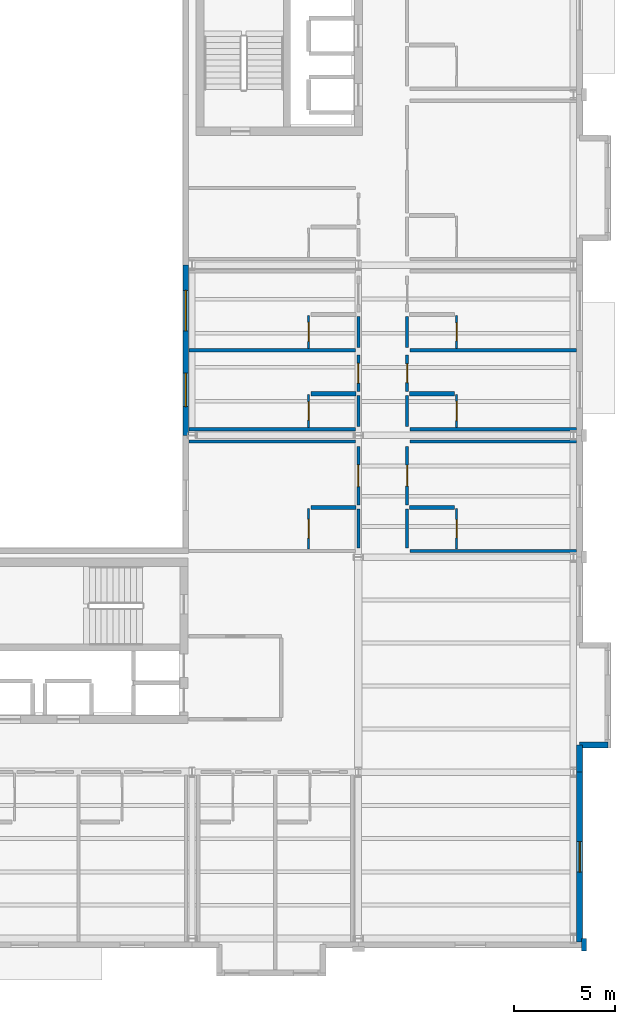
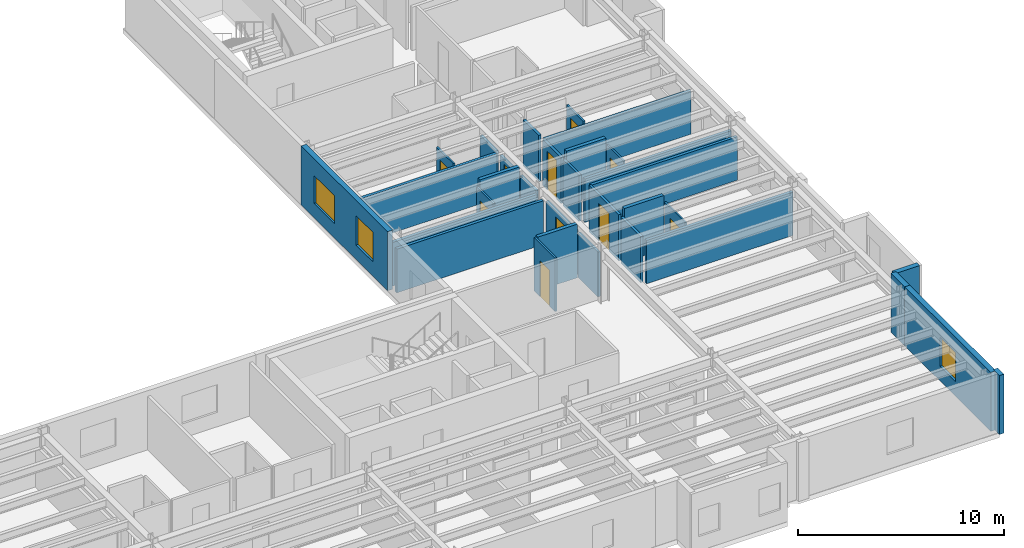
# One storey, part 10 of 17: 32 walls, 10 doors, 3 windows, 13 openings.
"""IFC4 building model written with IfcOpenShell, lengths in metres."""

from ifc_helpers import new_model, si_unit, direction, frame, frame_2d, origin, place, context, subcontext, project, spatial, rectangle, extrude, material, layer, layer_set, type_object, element, fill, save


model = new_model("IFC4")

# Units and contexts
model_context = context("Model", 3, precision=1e-05, world=origin(), true_north=direction((0.0, 1.0)))
body_context = subcontext(model_context, "Body", "Model", "MODEL_VIEW")
ifc_project = project(units=[si_unit("LENGTHUNIT", "METRE"), si_unit("AREAUNIT", "SQUARE_METRE"), si_unit("VOLUMEUNIT", "CUBIC_METRE"), si_unit("PLANEANGLEUNIT", "RADIAN"), si_unit("MASSUNIT", "GRAM", prefix="KILO")], contexts=[model_context])

# Site, building, storey
site_placement = place(None, origin())
site = spatial("IfcSite", under=ifc_project, at=site_placement, CompositionType="ELEMENT")
building_placement = place(site_placement, origin())
building = spatial("IfcBuilding", under=site, at=building_placement, Name="Sollismere Congress Hotel", CompositionType="ELEMENT")
storey_placement = place(building_placement, frame((0.0, 0.0, 41.10009765625)))
storey = spatial("IfcBuildingStorey", under=building, at=storey_placement, Name="L10", CompositionType="ELEMENT", Elevation=41.10009765625)

# Wall, opening, window
ifc_material_1 = material(Name="Colorado Buff Sandstone Rainscreen on Insulated Backup", Category="masonry")
ifc_layer_1 = layer(ifc_material_1, 0.284912109375, Name="Colorado Buff Sandstone Rainscreen on Insulated Backup")
ifc_layer_set_1 = layer_set([ifc_layer_1], Name="Colorado Buff Sandstone Rainscreen on Insulated Backup")
wall_type_1 = type_object("IfcWallType", Name="WL-EXT285", PredefinedType="STANDARD", material=ifc_layer_set_1)
wall_1_placement = place(storey_placement, frame((166.31005859375, -0.16552734375, 0.0), z_axis=(0.0, 0.0, 1.0), x_axis=(0.0, 1.0, 0.0)))
wall_1 = element("IfcWall", 1, at=wall_1_placement, inside=storey, type_object=wall_type_1, Name="Exterior wall EW-L10-966", PredefinedType="STANDARD", context=body_context, shape_type="SweptSolid", body=[
    extrude(rectangle(XDim=8.365478515625, YDim=0.284912109375, at=frame_2d((4.1826171875, 0.0))), origin(), (0.0, 0.0, 1.0), 3.5),
])
opening_1_placement = place(wall_1_placement, frame((3.4326171875, 0.0, 0.8798828125)))
opening_1 = element("IfcOpeningElement", 2, at=opening_1_placement, cuts=wall_1, Name="Opening W-L10-690", PredefinedType="OPENING", context=body_context, shape_type="SweptSolid", body=[
    extrude(rectangle(XDim=1.5, YDim=1.699951171875, at=frame_2d((0.75, 0.85009765625))), frame((0.0, 0.15234375, 0.0), z_axis=(0.0, -1.0, 0.0), x_axis=(1.0, 0.0, 0.0)), (0.0, 0.0, 1.0), 0.304931640625),
])
ifc_material_2 = material(Name="Thermally Broken Bronze Aluminum & Low-E Glass", Category="aluminium")
window_type_1 = type_object("IfcWindowType", Name="WN-P150x170", PartitioningType="SINGLE_PANEL", PredefinedType="WINDOW", material=ifc_material_2)
window_1_placement = place(opening_1_placement, origin())
window_1 = element("IfcWindow", 3, at=window_1_placement, inside=storey, type_object=window_type_1, Name="WIN-W-L10-690", OverallHeight=1.699951171875, OverallWidth=1.5, PartitioningType="SINGLE_PANEL", PredefinedType="WINDOW", context=body_context, shape_type="SweptSolid", body=[
    extrude(rectangle(XDim=1.5, YDim=1.699951171875, at=frame_2d((0.75, 0.85009765625))), frame((0.0, 0.030029296875, 0.0), z_axis=(0.0, -1.0, 0.0), x_axis=(1.0, 0.0, 0.0)), (0.0, 0.0, 1.0), 0.06005859375),
])
fill(opening_1, window_1)

# Walls
wall_2_placement = place(storey_placement, frame((166.31005859375, 8.199951171875, 0.0), z_axis=(0.0, 0.0, 1.0), x_axis=(0.0, 1.0, 0.0)))
element("IfcWall", 4, at=wall_2_placement, inside=storey, type_object=wall_type_1, Name="Exterior wall EW-L10-968", PredefinedType="STANDARD", context=body_context, shape_type="SweptSolid", body=[
    extrude(rectangle(XDim=1.340087890625, YDim=0.284912109375, at=frame_2d((0.669921875, 0.0))), origin(), (0.0, 0.0, 1.0), 3.5),
])
wall_3_placement = place(storey_placement, frame((166.31005859375, 9.5400390625, 0.0), z_axis=(0.0, 0.0, 1.0), x_axis=(1.0, 0.0, 0.0)))
element("IfcWall", 5, at=wall_3_placement, inside=storey, type_object=wall_type_1, Name="Exterior wall EW-L10-971", PredefinedType="STANDARD", context=body_context, shape_type="SweptSolid", body=[
    extrude(rectangle(XDim=1.389892578125, YDim=0.284912109375, at=frame_2d((0.69482421875, 0.0))), origin(), (0.0, 0.0, 1.0), 3.5),
])

# Wall, openings, windows
wall_4_placement = place(storey_placement, frame((146.889892578125, 24.800048828125, 0.0), z_axis=(0.0, 0.0, 1.0), x_axis=(0.0, 1.0, 0.0)))
wall_4 = element("IfcWall", 6, at=wall_4_placement, inside=storey, type_object=wall_type_1, Name="Exterior wall EW-L10-991", PredefinedType="STANDARD", context=body_context, shape_type="SweptSolid", body=[
    extrude(rectangle(XDim=8.39990234375, YDim=0.284912109375, at=frame_2d((4.199951171875, 0.0))), origin(), (0.0, 0.0, 1.0), 3.5),
])
opening_2_placement = place(wall_4_placement, frame((1.425048828125, 0.0, 0.85009765625)))
opening_2 = element("IfcOpeningElement", 7, at=opening_2_placement, cuts=wall_4, Name="Opening W-L10-706", PredefinedType="OPENING", context=body_context, shape_type="SweptSolid", body=[
    extrude(rectangle(XDim=1.64990234375, YDim=1.75, at=frame_2d((0.824951171875, 0.875))), frame((0.0, 0.15234375, 0.0), z_axis=(0.0, -1.0, 0.0), x_axis=(1.0, 0.0, 0.0)), (0.0, 0.0, 1.0), 0.304931640625),
])
opening_3_placement = place(wall_4_placement, frame((5.14990234375, 0.0, 0.85009765625)))
opening_3 = element("IfcOpeningElement", 8, at=opening_3_placement, cuts=wall_4, Name="Opening W-L10-707", PredefinedType="OPENING", context=body_context, shape_type="SweptSolid", body=[
    extrude(rectangle(XDim=2.0, YDim=1.64990234375, at=frame_2d((1.0, 0.824951171875))), frame((0.0, 0.15234375, 0.0), z_axis=(0.0, -1.0, 0.0), x_axis=(1.0, 0.0, 0.0)), (0.0, 0.0, 1.0), 0.304931640625),
])
window_type_2 = type_object("IfcWindowType", Name="WN-P165x175", PartitioningType="SINGLE_PANEL", PredefinedType="WINDOW", material=ifc_material_2)
window_2_placement = place(opening_2_placement, origin())
window_2 = element("IfcWindow", 9, at=window_2_placement, inside=storey, type_object=window_type_2, Name="WIN-W-L10-706", OverallHeight=1.75, OverallWidth=1.64990234375, PartitioningType="SINGLE_PANEL", PredefinedType="WINDOW", context=body_context, shape_type="SweptSolid", body=[
    extrude(rectangle(XDim=1.64990234375, YDim=1.75, at=frame_2d((0.824951171875, 0.875))), frame((0.0, 0.030029296875, 0.0), z_axis=(0.0, -1.0, 0.0), x_axis=(1.0, 0.0, 0.0)), (0.0, 0.0, 1.0), 0.06005859375),
])
fill(opening_2, window_2)
window_type_3 = type_object("IfcWindowType", Name="WN-P200x165", PartitioningType="SINGLE_PANEL", PredefinedType="WINDOW", material=ifc_material_2)
window_3_placement = place(opening_3_placement, origin())
window_3 = element("IfcWindow", 10, at=window_3_placement, inside=storey, type_object=window_type_3, Name="WIN-W-L10-707", OverallHeight=1.64990234375, OverallWidth=2.0, PartitioningType="SINGLE_PANEL", PredefinedType="WINDOW", context=body_context, shape_type="SweptSolid", body=[
    extrude(rectangle(XDim=2.0, YDim=1.64990234375, at=frame_2d((1.0, 0.824951171875))), frame((0.0, 0.030029296875, 0.0), z_axis=(0.0, -1.0, 0.0), x_axis=(1.0, 0.0, 0.0)), (0.0, 0.0, 1.0), 0.06005859375),
])
fill(opening_3, window_3)

# Walls
ifc_material_3 = material(Name="Carved Travertine Pilaster & Frieze Assembly", Category="masonry")
ifc_layer_2 = layer(ifc_material_3, 0.260009765625, Name="Carved Travertine Pilaster & Frieze Assembly")
ifc_layer_set_2 = layer_set([ifc_layer_2], Name="Carved Travertine Pilaster & Frieze Assembly")
wall_type_2 = type_object("IfcWallType", Name="WL-PIL280", PredefinedType="ELEMENTEDWALL", material=ifc_layer_set_2)
wall_5_placement = place(storey_placement, frame((166.52001953125, -0.610107421875, 0.0), z_axis=(0.0, 0.0, 1.0), x_axis=(0.0, 1.0, 0.0)))
element("IfcWall", 11, at=wall_5_placement, inside=storey, type_object=wall_type_2, Name="Exterior wall EW-L10-967", PredefinedType="ELEMENTEDWALL", context=body_context, shape_type="SweptSolid", body=[
    extrude(rectangle(XDim=0.60009765625, YDim=0.260009765625, at=frame_2d((0.300048828125, 0.0))), origin(), (0.0, 0.0, 1.0), 3.5),
])
ifc_material_4 = material(Name="Moisture-Resistant Shaft Gypsum Assembly")
ifc_layer_3 = layer(ifc_material_4, 0.199951171875, Name="Moisture-Resistant Shaft Gypsum Assembly")
ifc_layer_set_3 = layer_set([ifc_layer_3], Name="Moisture-Resistant Shaft Gypsum Assembly")
wall_type_3 = type_object("IfcWallType", Name="WL-PLM200", PredefinedType="PLUMBINGWALL", material=ifc_layer_set_3)
for number, where, z_axis, x_axis, name in (
    (12, (157.919921875, 21.25, 0.0), (0.0, 0.0, 1.0), (1.0, 0.0, 0.0), "Interior wall IW-L10-2815"),
    (13, (153.070068359375, 21.25, 0.0), (0.0, 0.0, 1.0), (1.0, 0.0, 0.0), "Interior wall IW-L10-2821"),
    (14, (157.919921875, 26.85498046875, 0.0), (0.0, 0.0, 1.0), (1.0, 0.0, 0.0), "Interior wall IW-L10-2827"),
    (15, (153.070068359375, 26.85498046875, 0.0), (0.0, 0.0, 1.0), (1.0, 0.0, 0.0), "Interior wall IW-L10-2838"),
):
    element("IfcWall", number, at=place(storey_placement, frame(where, z_axis=z_axis, x_axis=x_axis)), inside=storey, type_object=wall_type_3, Name=name, PredefinedType="PLUMBINGWALL", context=body_context, shape_type="SweptSolid", body=[
        extrude(rectangle(XDim=2.2099609375, YDim=0.199951171875, at=frame_2d((1.10498046875, 0.0))), origin(), (0.0, 0.0, 1.0), 3.179931640625),
    ])

# Wall, opening, door
ifc_material_5 = material(Name="Moisture-Resistant Gypsum Partition")
ifc_layer_4 = layer(ifc_material_5, 0.10009765625, Name="Moisture-Resistant Gypsum Partition")
ifc_layer_set_4 = layer_set([ifc_layer_4], Name="Moisture-Resistant Gypsum Partition")
wall_type_4 = type_object("IfcWallType", Name="WL-PRT100", PredefinedType="PARTITIONING", material=ifc_layer_set_4)
wall_6_placement = place(storey_placement, frame((160.25, 19.194580078125, 0.0), z_axis=(0.0, 0.0, 1.0), x_axis=(0.0, 1.0, 0.0)))
wall_6 = element("IfcWall", 16, at=wall_6_placement, inside=storey, type_object=wall_type_4, Name="Interior wall IW-L10-2816", PredefinedType="PARTITIONING", context=body_context, shape_type="SweptSolid", body=[
    extrude(rectangle(XDim=2.015380859375, YDim=0.10009765625, at=frame_2d((1.0078125, 0.0))), origin(), (0.0, 0.0, 1.0), 2.73779296875),
])
opening_4_placement = place(wall_6_placement, frame((0.554931640625, 0.0, 0.0)))
opening_4 = element("IfcOpeningElement", 17, at=opening_4_placement, cuts=wall_6, Name="Opening D-L10-0995", PredefinedType="OPENING", context=body_context, shape_type="SweptSolid", body=[
    extrude(rectangle(XDim=0.905029296875, YDim=2.10009765625, at=frame_2d((0.45263671875, 1.050048828125))), frame((0.0, 0.06005859375, 0.0), z_axis=(0.0, -1.0, 0.0), x_axis=(1.0, 0.0, 0.0)), (0.0, 0.0, 1.0), 0.1201171875),
])
ifc_material_6 = material(Name="Moisture-Sealed Timber Bathroom Door", Category="wood")
door_type_1 = type_object("IfcDoorType", Name="DR-BT02", OperationType="NOTDEFINED", PredefinedType="DOOR", material=ifc_material_6)
door_1_placement = place(opening_4_placement, origin())
door_1 = element("IfcDoor", 18, at=door_1_placement, inside=storey, type_object=door_type_1, Name="En-suite bathroom door D-L10-0995", OperationType="SINGLE_SWING_RIGHT", OverallHeight=2.10009765625, OverallWidth=0.905029296875, PredefinedType="DOOR", context=body_context, shape_type="SweptSolid", body=[
    extrude(rectangle(XDim=0.905029296875, YDim=2.10009765625, at=frame_2d((0.45263671875, 1.050048828125))), frame((0.0, 0.02490234375, 0.0), z_axis=(0.0, -1.0, 0.0), x_axis=(1.0, 0.0, 0.0)), (0.0, 0.0, 1.0), 0.050048828125),
])
fill(opening_4, door_1)

wall_7_placement = place(storey_placement, frame((152.949951171875, 19.194580078125, 0.0), z_axis=(0.0, 0.0, 1.0), x_axis=(0.0, 1.0, 0.0)))
wall_7 = element("IfcWall", 19, at=wall_7_placement, inside=storey, type_object=wall_type_4, Name="Interior wall IW-L10-2822", PredefinedType="PARTITIONING", context=body_context, shape_type="SweptSolid", body=[
    extrude(rectangle(XDim=2.015380859375, YDim=0.10009765625, at=frame_2d((1.0078125, 0.0))), origin(), (0.0, 0.0, 1.0), 3.179931640625),
])
opening_5_placement = place(wall_7_placement, frame((0.54296875, 0.0, 0.0)))
opening_5 = element("IfcOpeningElement", 20, at=opening_5_placement, cuts=wall_7, Name="Opening D-L10-0997", PredefinedType="OPENING", context=body_context, shape_type="SweptSolid", body=[
    extrude(rectangle(XDim=0.929931640625, YDim=2.139892578125, at=frame_2d((0.46484375, 1.06982421875))), frame((0.0, 0.06005859375, 0.0), z_axis=(0.0, -1.0, 0.0), x_axis=(1.0, 0.0, 0.0)), (0.0, 0.0, 1.0), 0.1201171875),
])
door_type_2 = type_object("IfcDoorType", Name="DR-BT03", OperationType="NOTDEFINED", PredefinedType="DOOR", material=ifc_material_6)
door_2_placement = place(opening_5_placement, origin())
door_2 = element("IfcDoor", 21, at=door_2_placement, inside=storey, type_object=door_type_2, Name="En-suite bathroom door D-L10-0997", OperationType="SINGLE_SWING_RIGHT", OverallHeight=2.139892578125, OverallWidth=0.929931640625, PredefinedType="DOOR", context=body_context, shape_type="SweptSolid", body=[
    extrude(rectangle(XDim=0.929931640625, YDim=2.139892578125, at=frame_2d((0.46484375, 1.06982421875))), frame((0.0, 0.02490234375, 0.0), z_axis=(0.0, -1.0, 0.0), x_axis=(1.0, 0.0, 0.0)), (0.0, 0.0, 1.0), 0.050048828125),
])
fill(opening_5, door_2)

wall_8_placement = place(storey_placement, frame((160.25, 25.194580078125, 0.0), z_axis=(0.0, 0.0, 1.0), x_axis=(0.0, 1.0, 0.0)))
wall_8 = element("IfcWall", 22, at=wall_8_placement, inside=storey, type_object=wall_type_4, Name="Interior wall IW-L10-2828", PredefinedType="PARTITIONING", context=body_context, shape_type="SweptSolid", body=[
    extrude(rectangle(XDim=1.620361328125, YDim=0.10009765625, at=frame_2d((0.81005859375, 0.0))), origin(), (0.0, 0.0, 1.0), 2.73779296875),
])
opening_6_placement = place(wall_8_placement, frame((0.3330078125, 0.0, 0.0)))
opening_6 = element("IfcOpeningElement", 23, at=opening_6_placement, cuts=wall_8, Name="Opening D-L10-0999", PredefinedType="OPENING", context=body_context, shape_type="SweptSolid", body=[
    extrude(rectangle(XDim=0.955078125, YDim=2.139892578125, at=frame_2d((0.4775390625, 1.06982421875))), frame((0.0, 0.06005859375, 0.0), z_axis=(0.0, -1.0, 0.0), x_axis=(1.0, 0.0, 0.0)), (0.0, 0.0, 1.0), 0.1201171875),
])
door_type_3 = type_object("IfcDoorType", Name="DR-BT04", OperationType="NOTDEFINED", PredefinedType="DOOR", material=ifc_material_6)
door_3_placement = place(opening_6_placement, origin())
door_3 = element("IfcDoor", 24, at=door_3_placement, inside=storey, type_object=door_type_3, Name="En-suite bathroom door D-L10-0999", OperationType="SINGLE_SWING_RIGHT", OverallHeight=2.139892578125, OverallWidth=0.955078125, PredefinedType="DOOR", context=body_context, shape_type="SweptSolid", body=[
    extrude(rectangle(XDim=0.955078125, YDim=2.139892578125, at=frame_2d((0.4775390625, 1.06982421875))), frame((0.0, 0.02490234375, 0.0), z_axis=(0.0, -1.0, 0.0), x_axis=(1.0, 0.0, 0.0)), (0.0, 0.0, 1.0), 0.050048828125),
])
fill(opening_6, door_3)

wall_9_placement = place(storey_placement, frame((160.25, 29.094482421875, 0.0), z_axis=(0.0, 0.0, 1.0), x_axis=(0.0, 1.0, 0.0)))
wall_9 = element("IfcWall", 25, at=wall_9_placement, inside=storey, type_object=wall_type_4, Name="Interior wall IW-L10-2833", PredefinedType="PARTITIONING", context=body_context, shape_type="SweptSolid", body=[
    extrude(rectangle(XDim=1.62060546875, YDim=0.10009765625, at=frame_2d((0.810302734375, 0.0))), origin(), (0.0, 0.0, 1.0), 2.73779296875),
])
opening_7_placement = place(wall_9_placement, frame((0.3701171875, 0.0, 0.0)))
opening_7 = element("IfcOpeningElement", 26, at=opening_7_placement, cuts=wall_9, Name="Opening D-L10-1001", PredefinedType="OPENING", context=body_context, shape_type="SweptSolid", body=[
    extrude(rectangle(XDim=0.8798828125, YDim=2.179931640625, at=frame_2d((0.43994140625, 1.08984375))), frame((0.0, 0.06005859375, 0.0), z_axis=(0.0, -1.0, 0.0), x_axis=(1.0, 0.0, 0.0)), (0.0, 0.0, 1.0), 0.1201171875),
])
door_type_4 = type_object("IfcDoorType", Name="DR-BT05", OperationType="NOTDEFINED", PredefinedType="DOOR", material=ifc_material_6)
door_4_placement = place(opening_7_placement, origin())
door_4 = element("IfcDoor", 27, at=door_4_placement, inside=storey, type_object=door_type_4, Name="En-suite bathroom door D-L10-1001", OperationType="SINGLE_SWING_RIGHT", OverallHeight=2.179931640625, OverallWidth=0.8798828125, PredefinedType="DOOR", context=body_context, shape_type="SweptSolid", body=[
    extrude(rectangle(XDim=0.8798828125, YDim=2.179931640625, at=frame_2d((0.43994140625, 1.08984375))), frame((0.0, 0.02490234375, 0.0), z_axis=(0.0, -1.0, 0.0), x_axis=(1.0, 0.0, 0.0)), (0.0, 0.0, 1.0), 0.050048828125),
])
fill(opening_7, door_4)

wall_10_placement = place(storey_placement, frame((152.949951171875, 25.194580078125, 0.0), z_axis=(0.0, 0.0, 1.0), x_axis=(0.0, 1.0, 0.0)))
wall_10 = element("IfcWall", 28, at=wall_10_placement, inside=storey, type_object=wall_type_4, Name="Interior wall IW-L10-2839", PredefinedType="PARTITIONING", context=body_context, shape_type="SweptSolid", body=[
    extrude(rectangle(XDim=1.620361328125, YDim=0.10009765625, at=frame_2d((0.81005859375, 0.0))), origin(), (0.0, 0.0, 1.0), 2.787841796875),
])
opening_8_placement = place(wall_10_placement, frame((0.35791015625, 0.0, 0.0)))
opening_8 = element("IfcOpeningElement", 29, at=opening_8_placement, cuts=wall_10, Name="Opening D-L10-1003", PredefinedType="OPENING", context=body_context, shape_type="SweptSolid", body=[
    extrude(rectangle(XDim=0.905029296875, YDim=2.179931640625, at=frame_2d((0.45263671875, 1.08984375))), frame((0.0, 0.06005859375, 0.0), z_axis=(0.0, -1.0, 0.0), x_axis=(1.0, 0.0, 0.0)), (0.0, 0.0, 1.0), 0.1201171875),
])
door_type_5 = type_object("IfcDoorType", Name="DR-BT06", OperationType="NOTDEFINED", PredefinedType="DOOR", material=ifc_material_6)
door_5_placement = place(opening_8_placement, origin())
door_5 = element("IfcDoor", 30, at=door_5_placement, inside=storey, type_object=door_type_5, Name="En-suite bathroom door D-L10-1003", OperationType="SINGLE_SWING_RIGHT", OverallHeight=2.179931640625, OverallWidth=0.905029296875, PredefinedType="DOOR", context=body_context, shape_type="SweptSolid", body=[
    extrude(rectangle(XDim=0.905029296875, YDim=2.179931640625, at=frame_2d((0.45263671875, 1.08984375))), frame((0.0, 0.02490234375, 0.0), z_axis=(0.0, -1.0, 0.0), x_axis=(1.0, 0.0, 0.0)), (0.0, 0.0, 1.0), 0.050048828125),
])
fill(opening_8, door_5)

wall_11_placement = place(storey_placement, frame((152.949951171875, 29.094482421875, 0.0), z_axis=(0.0, 0.0, 1.0), x_axis=(0.0, 1.0, 0.0)))
wall_11 = element("IfcWall", 31, at=wall_11_placement, inside=storey, type_object=wall_type_4, Name="Interior wall IW-L10-2844", PredefinedType="PARTITIONING", context=body_context, shape_type="SweptSolid", body=[
    extrude(rectangle(XDim=1.62060546875, YDim=0.10009765625, at=frame_2d((0.810302734375, 0.0))), origin(), (0.0, 0.0, 1.0), 2.787841796875),
])
opening_9_placement = place(wall_11_placement, frame((0.344970703125, 0.0, 0.0)))
opening_9 = element("IfcOpeningElement", 32, at=opening_9_placement, cuts=wall_11, Name="Opening D-L10-1005", PredefinedType="OPENING", context=body_context, shape_type="SweptSolid", body=[
    extrude(rectangle(XDim=0.929931640625, YDim=2.219970703125, at=frame_2d((0.46484375, 1.10986328125))), frame((0.0, 0.06005859375, 0.0), z_axis=(0.0, -1.0, 0.0), x_axis=(1.0, 0.0, 0.0)), (0.0, 0.0, 1.0), 0.1201171875),
])
door_type_6 = type_object("IfcDoorType", Name="DR-BT07", OperationType="NOTDEFINED", PredefinedType="DOOR", material=ifc_material_6)
door_6_placement = place(opening_9_placement, origin())
door_6 = element("IfcDoor", 33, at=door_6_placement, inside=storey, type_object=door_type_6, Name="En-suite bathroom door D-L10-1005", OperationType="SINGLE_SWING_RIGHT", OverallHeight=2.219970703125, OverallWidth=0.929931640625, PredefinedType="DOOR", context=body_context, shape_type="SweptSolid", body=[
    extrude(rectangle(XDim=0.929931640625, YDim=2.219970703125, at=frame_2d((0.46484375, 1.10986328125))), frame((0.0, 0.02490234375, 0.0), z_axis=(0.0, -1.0, 0.0), x_axis=(1.0, 0.0, 0.0)), (0.0, 0.0, 1.0), 0.050048828125),
])
fill(opening_9, door_6)

# Wall
ifc_material_7 = material(Name="Fire-Rated Gypsum Partition")
ifc_layer_5 = layer(ifc_material_7, 0.139892578125, Name="Fire-Rated Gypsum Partition")
ifc_layer_set_5 = layer_set([ifc_layer_5], Name="Fire-Rated Gypsum Partition")
wall_type_5 = type_object("IfcWallType", Name="WL-PRT140R", PredefinedType="PARTITIONING", material=ifc_layer_set_5)
wall_12_placement = place(storey_placement, frame((157.800048828125, 19.239990234375, 0.0), z_axis=(0.0, 0.0, 1.0), x_axis=(0.0, 1.0, 0.0)))
element("IfcWall", 34, at=wall_12_placement, inside=storey, type_object=wall_type_5, Name="Interior wall IW-L10-2811", PredefinedType="PARTITIONING", context=body_context, shape_type="SweptSolid", body=[
    extrude(rectangle(XDim=1.929931640625, YDim=0.139892578125, at=frame_2d((0.96484375, 0.0))), origin(), (0.0, 0.0, 1.0), 2.73779296875),
])

# Wall, opening, door
wall_13_placement = place(storey_placement, frame((157.800048828125, 21.3701171875, 0.0), z_axis=(0.0, 0.0, 1.0), x_axis=(0.0, 1.0, 0.0)))
wall_13 = element("IfcWall", 35, at=wall_13_placement, inside=storey, type_object=wall_type_5, Name="Interior wall IW-L10-2812", PredefinedType="PARTITIONING", context=body_context, shape_type="SweptSolid", body=[
    extrude(rectangle(XDim=2.889892578125, YDim=0.139892578125, at=frame_2d((1.44482421875, 0.0))), origin(), (0.0, 0.0, 1.0), 2.73779296875),
])
opening_10_placement = place(wall_13_placement, frame((0.925048828125, 0.0, 0.0)))
opening_10 = element("IfcOpeningElement", 36, at=opening_10_placement, cuts=wall_13, Name="Opening D-L10-0994", PredefinedType="OPENING", context=body_context, shape_type="SweptSolid", body=[
    extrude(rectangle(XDim=1.0400390625, YDim=2.25, at=frame_2d((0.52001953125, 1.125))), frame((0.0, 0.079833984375, 0.0), z_axis=(0.0, -1.0, 0.0), x_axis=(1.0, 0.0, 0.0)), (0.0, 0.0, 1.0), 0.159912109375),
])
ifc_material_8 = material(Name="Solid-Core Acoustic Walnut Guestroom Entry Door")
door_type_7 = type_object("IfcDoorType", Name="DR-KY05", OperationType="NOTDEFINED", PredefinedType="DOOR", material=ifc_material_8)
door_7_placement = place(opening_10_placement, origin())
door_7 = element("IfcDoor", 37, at=door_7_placement, inside=storey, type_object=door_type_7, Name="Hotel room entry door D-L10-0994", OperationType="SINGLE_SWING_LEFT", OverallHeight=2.25, OverallWidth=1.0400390625, PredefinedType="DOOR", context=body_context, shape_type="SweptSolid", body=[
    extrude(rectangle(XDim=1.0400390625, YDim=2.25, at=frame_2d((0.52001953125, 1.125))), frame((0.0, 0.02490234375, 0.0), z_axis=(0.0, -1.0, 0.0), x_axis=(1.0, 0.0, 0.0)), (0.0, 0.0, 1.0), 0.050048828125),
])
fill(opening_10, door_7)

# Wall
wall_14_placement = place(storey_placement, frame((155.39990234375, 19.239990234375, 0.0), z_axis=(0.0, 0.0, 1.0), x_axis=(0.0, 1.0, 0.0)))
element("IfcWall", 38, at=wall_14_placement, inside=storey, type_object=wall_type_5, Name="Interior wall IW-L10-2817", PredefinedType="PARTITIONING", context=body_context, shape_type="SweptSolid", body=[
    extrude(rectangle(XDim=1.929931640625, YDim=0.139892578125, at=frame_2d((0.96484375, 0.0))), origin(), (0.0, 0.0, 1.0), 2.65380859375),
])

# Wall, opening, door
wall_15_placement = place(storey_placement, frame((155.39990234375, 21.3701171875, 0.0), z_axis=(0.0, 0.0, 1.0), x_axis=(0.0, 1.0, 0.0)))
wall_15 = element("IfcWall", 39, at=wall_15_placement, inside=storey, type_object=wall_type_5, Name="Interior wall IW-L10-2818", PredefinedType="PARTITIONING", context=body_context, shape_type="SweptSolid", body=[
    extrude(rectangle(XDim=2.889892578125, YDim=0.139892578125, at=frame_2d((1.44482421875, 0.0))), origin(), (0.0, 0.0, 1.0), 2.65380859375),
])
opening_11_placement = place(wall_15_placement, frame((0.909912109375, 0.0, 0.0)))
opening_11 = element("IfcOpeningElement", 40, at=opening_11_placement, cuts=wall_15, Name="Opening D-L10-0996", PredefinedType="OPENING", context=body_context, shape_type="SweptSolid", body=[
    extrude(rectangle(XDim=1.070068359375, YDim=2.25, at=frame_2d((0.53515625, 1.125))), frame((0.0, 0.079833984375, 0.0), z_axis=(0.0, -1.0, 0.0), x_axis=(1.0, 0.0, 0.0)), (0.0, 0.0, 1.0), 0.159912109375),
])
door_type_8 = type_object("IfcDoorType", Name="DR-KY06", OperationType="NOTDEFINED", PredefinedType="DOOR", material=ifc_material_8)
door_8_placement = place(opening_11_placement, origin())
door_8 = element("IfcDoor", 41, at=door_8_placement, inside=storey, type_object=door_type_8, Name="Hotel room entry door D-L10-0996", OperationType="SINGLE_SWING_LEFT", OverallHeight=2.25, OverallWidth=1.070068359375, PredefinedType="DOOR", context=body_context, shape_type="SweptSolid", body=[
    extrude(rectangle(XDim=1.070068359375, YDim=2.25, at=frame_2d((0.53515625, 1.125))), frame((0.0, 0.02490234375, 0.0), z_axis=(0.0, -1.0, 0.0), x_axis=(1.0, 0.0, 0.0)), (0.0, 0.0, 1.0), 0.050048828125),
])
fill(opening_11, door_8)

# Wall
wall_16_placement = place(storey_placement, frame((157.800048828125, 25.239990234375, 0.0), z_axis=(0.0, 0.0, 1.0), x_axis=(0.0, 1.0, 0.0)))
element("IfcWall", 42, at=wall_16_placement, inside=storey, type_object=wall_type_5, Name="Interior wall IW-L10-2823", PredefinedType="PARTITIONING", context=body_context, shape_type="SweptSolid", body=[
    extrude(rectangle(XDim=1.534912109375, YDim=0.139892578125, at=frame_2d((0.767578125, 0.0))), origin(), (0.0, 0.0, 1.0), 2.73779296875),
])

# Wall, opening, door
wall_17_placement = place(storey_placement, frame((157.800048828125, 26.97509765625, 0.0), z_axis=(0.0, 0.0, 1.0), x_axis=(0.0, 1.0, 0.0)))
wall_17 = element("IfcWall", 43, at=wall_17_placement, inside=storey, type_object=wall_type_5, Name="Interior wall IW-L10-2824", PredefinedType="PARTITIONING", context=body_context, shape_type="SweptSolid", body=[
    extrude(rectangle(XDim=1.784912109375, YDim=0.139892578125, at=frame_2d((0.892578125, 0.0))), origin(), (0.0, 0.0, 1.0), 2.73779296875),
])
opening_12_placement = place(wall_17_placement, frame((0.43310546875, 0.0, 0.0)))
opening_12 = element("IfcOpeningElement", 44, at=opening_12_placement, cuts=wall_17, Name="Opening D-L10-0998", PredefinedType="OPENING", context=body_context, shape_type="SweptSolid", body=[
    extrude(rectangle(XDim=0.919921875, YDim=2.300048828125, at=frame_2d((0.4599609375, 1.14990234375))), frame((0.0, 0.079833984375, 0.0), z_axis=(0.0, -1.0, 0.0), x_axis=(1.0, 0.0, 0.0)), (0.0, 0.0, 1.0), 0.159912109375),
])
door_type_9 = type_object("IfcDoorType", Name="DR-KY07", OperationType="NOTDEFINED", PredefinedType="DOOR", material=ifc_material_8)
door_9_placement = place(opening_12_placement, origin())
door_9 = element("IfcDoor", 45, at=door_9_placement, inside=storey, type_object=door_type_9, Name="Hotel room entry door D-L10-0998", OperationType="SINGLE_SWING_LEFT", OverallHeight=2.300048828125, OverallWidth=0.919921875, PredefinedType="DOOR", context=body_context, shape_type="SweptSolid", body=[
    extrude(rectangle(XDim=0.919921875, YDim=2.300048828125, at=frame_2d((0.4599609375, 1.14990234375))), frame((0.0, 0.02490234375, 0.0), z_axis=(0.0, -1.0, 0.0), x_axis=(1.0, 0.0, 0.0)), (0.0, 0.0, 1.0), 0.050048828125),
])
fill(opening_12, door_9)

# Walls
wall_18_placement = place(storey_placement, frame((157.800048828125, 29.139892578125, 0.0), z_axis=(0.0, 0.0, 1.0), x_axis=(0.0, 1.0, 0.0)))
element("IfcWall", 46, at=wall_18_placement, inside=storey, type_object=wall_type_5, Name="Interior wall IW-L10-2829", PredefinedType="PARTITIONING", context=body_context, shape_type="SweptSolid", body=[
    extrude(rectangle(XDim=1.53515625, YDim=0.139892578125, at=frame_2d((0.767578125, 0.0))), origin(), (0.0, 0.0, 1.0), 2.73779296875),
])
wall_19_placement = place(storey_placement, frame((155.39990234375, 25.239990234375, 0.0), z_axis=(0.0, 0.0, 1.0), x_axis=(0.0, 1.0, 0.0)))
element("IfcWall", 47, at=wall_19_placement, inside=storey, type_object=wall_type_5, Name="Interior wall IW-L10-2834", PredefinedType="PARTITIONING", context=body_context, shape_type="SweptSolid", body=[
    extrude(rectangle(XDim=1.534912109375, YDim=0.139892578125, at=frame_2d((0.767578125, 0.0))), origin(), (0.0, 0.0, 1.0), 2.65380859375),
])

# Wall, opening, door
wall_20_placement = place(storey_placement, frame((155.39990234375, 26.97509765625, 0.0), z_axis=(0.0, 0.0, 1.0), x_axis=(0.0, 1.0, 0.0)))
wall_20 = element("IfcWall", 48, at=wall_20_placement, inside=storey, type_object=wall_type_5, Name="Interior wall IW-L10-2835", PredefinedType="PARTITIONING", context=body_context, shape_type="SweptSolid", body=[
    extrude(rectangle(XDim=1.784912109375, YDim=0.139892578125, at=frame_2d((0.892578125, 0.0))), origin(), (0.0, 0.0, 1.0), 2.65380859375),
])
opening_13_placement = place(wall_20_placement, frame((0.403076171875, 0.0, 0.0)))
opening_13 = element("IfcOpeningElement", 49, at=opening_13_placement, cuts=wall_20, Name="Opening D-L10-1002", PredefinedType="OPENING", context=body_context, shape_type="SweptSolid", body=[
    extrude(rectangle(XDim=0.97998046875, YDim=2.35009765625, at=frame_2d((0.489990234375, 1.175048828125))), frame((0.0, 0.079833984375, 0.0), z_axis=(0.0, -1.0, 0.0), x_axis=(1.0, 0.0, 0.0)), (0.0, 0.0, 1.0), 0.159912109375),
])
door_type_10 = type_object("IfcDoorType", Name="DR-KY09", OperationType="NOTDEFINED", PredefinedType="DOOR", material=ifc_material_8)
door_10_placement = place(opening_13_placement, origin())
door_10 = element("IfcDoor", 50, at=door_10_placement, inside=storey, type_object=door_type_10, Name="Hotel room entry door D-L10-1002", OperationType="SINGLE_SWING_LEFT", OverallHeight=2.35009765625, OverallWidth=0.97998046875, PredefinedType="DOOR", context=body_context, shape_type="SweptSolid", body=[
    extrude(rectangle(XDim=0.97998046875, YDim=2.35009765625, at=frame_2d((0.489990234375, 1.175048828125))), frame((0.0, 0.02490234375, 0.0), z_axis=(0.0, -1.0, 0.0), x_axis=(1.0, 0.0, 0.0)), (0.0, 0.0, 1.0), 0.050048828125),
])
fill(opening_13, door_10)

# Walls
wall_21_placement = place(storey_placement, frame((155.39990234375, 29.139892578125, 0.0), z_axis=(0.0, 0.0, 1.0), x_axis=(0.0, 1.0, 0.0)))
element("IfcWall", 51, at=wall_21_placement, inside=storey, type_object=wall_type_5, Name="Interior wall IW-L10-2840", PredefinedType="PARTITIONING", context=body_context, shape_type="SweptSolid", body=[
    extrude(rectangle(XDim=1.53515625, YDim=0.139892578125, at=frame_2d((0.767578125, 0.0))), origin(), (0.0, 0.0, 1.0), 2.65380859375),
])
ifc_material_9 = material(Name="Fire-Rated Acoustic Gypsum Partition")
ifc_layer_6 = layer(ifc_material_9, 0.1650390625, Name="Fire-Rated Acoustic Gypsum Partition")
ifc_layer_set_6 = layer_set([ifc_layer_6], Name="Fire-Rated Acoustic Gypsum Partition")
wall_type_6 = type_object("IfcWallType", Name="WL-PRT165R", PredefinedType="PARTITIONING", material=ifc_layer_set_6)
for number, where, z_axis, x_axis, name in (
    (52, (157.93994140625, 19.10009765625, 0.0), (0.0, 0.0, 1.0), (1.0, 0.0, 0.0), "Interior wall IW-L10-2813"),
    (53, (157.93994140625, 24.5, 0.0), (0.0, 0.0, 1.0), (1.0, 0.0, 0.0), "Interior wall IW-L10-2814"),
):
    element("IfcWall", number, at=place(storey_placement, frame(where, z_axis=z_axis, x_axis=x_axis)), inside=storey, type_object=wall_type_6, Name=name, PredefinedType="PARTITIONING", context=body_context, shape_type="SweptSolid", body=[
        extrude(rectangle(XDim=8.212646484375, YDim=0.1650390625, at=frame_2d((4.1064453125, 0.0))), origin(), (0.0, 0.0, 1.0), 2.56982421875),
    ])
wall_22_placement = place(storey_placement, frame((147.047607421875, 24.5, 0.0), z_axis=(0.0, 0.0, 1.0), x_axis=(1.0, 0.0, 0.0)))
element("IfcWall", 54, at=wall_22_placement, inside=storey, type_object=wall_type_6, Name="Interior wall IW-L10-2820", PredefinedType="PARTITIONING", context=body_context, shape_type="SweptSolid", body=[
    extrude(rectangle(XDim=8.21240234375, YDim=0.1650390625, at=frame_2d((4.106201171875, 0.0))), origin(), (0.0, 0.0, 1.0), 2.593017578125),
])
for number, where, z_axis, x_axis, name in (
    (55, (157.93994140625, 25.10009765625, 0.0), (0.0, 0.0, 1.0), (1.0, 0.0, 0.0), "Interior wall IW-L10-2825"),
    (56, (157.93994140625, 29.0, 0.0), (0.0, 0.0, 1.0), (1.0, 0.0, 0.0), "Interior wall IW-L10-2826"),
):
    element("IfcWall", number, at=place(storey_placement, frame(where, z_axis=z_axis, x_axis=x_axis)), inside=storey, type_object=wall_type_6, Name=name, PredefinedType="PARTITIONING", context=body_context, shape_type="SweptSolid", body=[
        extrude(rectangle(XDim=8.212646484375, YDim=0.1650390625, at=frame_2d((4.1064453125, 0.0))), origin(), (0.0, 0.0, 1.0), 2.56982421875),
    ])
wall_23_placement = place(storey_placement, frame((147.047607421875, 25.10009765625, 0.0), z_axis=(0.0, 0.0, 1.0), x_axis=(1.0, 0.0, 0.0)))
element("IfcWall", 57, at=wall_23_placement, inside=storey, type_object=wall_type_6, Name="Interior wall IW-L10-2836", PredefinedType="PARTITIONING", context=body_context, shape_type="SweptSolid", body=[
    extrude(rectangle(XDim=8.21240234375, YDim=0.1650390625, at=frame_2d((4.106201171875, 0.0))), origin(), (0.0, 0.0, 1.0), 2.593017578125),
])
wall_24_placement = place(storey_placement, frame((147.047607421875, 29.0, 0.0), z_axis=(0.0, 0.0, 1.0), x_axis=(1.0, 0.0, 0.0)))
element("IfcWall", 58, at=wall_24_placement, inside=storey, type_object=wall_type_6, Name="Interior wall IW-L10-2837", PredefinedType="PARTITIONING", context=body_context, shape_type="SweptSolid", body=[
    extrude(rectangle(XDim=8.21240234375, YDim=0.1650390625, at=frame_2d((4.106201171875, 0.0))), origin(), (0.0, 0.0, 1.0), 2.65380859375),
])

save(model, "model.ifc")
